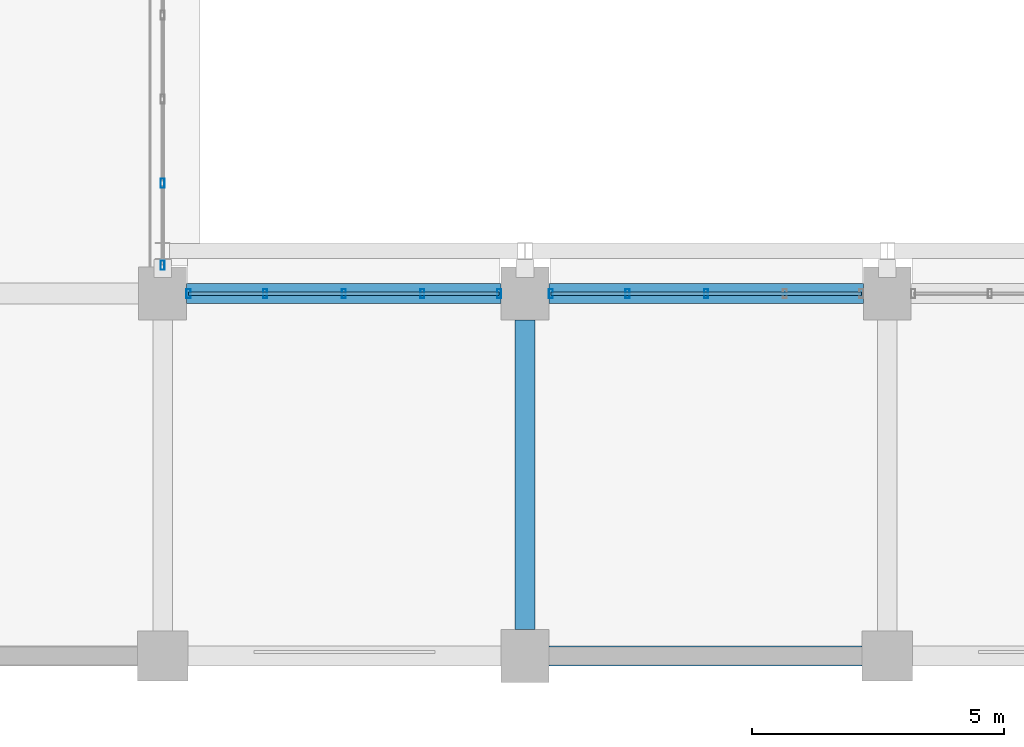
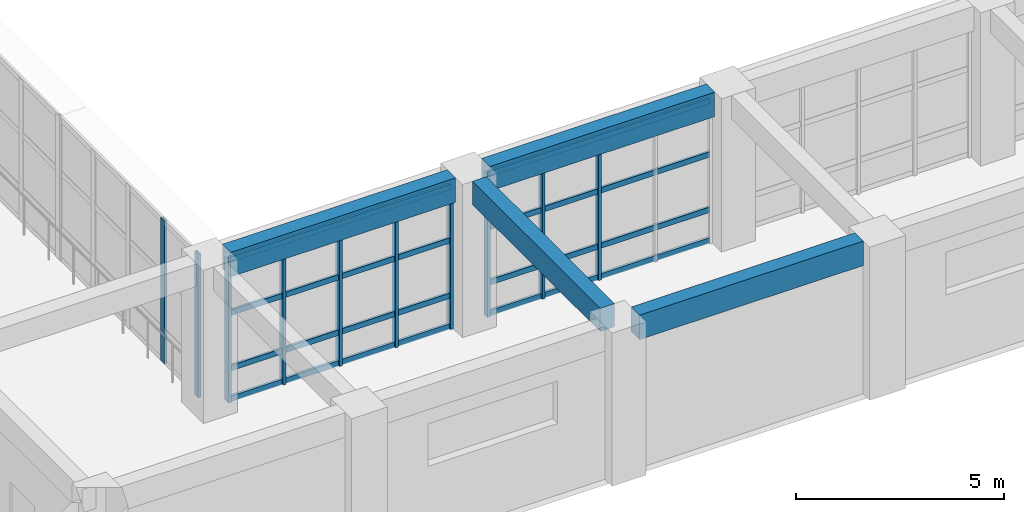
# One storey, part 31 of 171: 18 members, 4 beams, 3 elements without a shape of their own.
"""IFC4 building model written with IfcOpenShell, lengths in metres."""

from ifc_helpers import new_model, si_unit, direction, frame, origin, origin_2d, place, context, subcontext, project, spatial, rectangle, hollow_rectangle, extrude, material, material_profile, profile_set, type_object, element, aggregate, save


model = new_model("IFC4")

# Units and contexts
model_context = context("Model", 3, precision=1e-05, world=origin(), true_north=direction((0.0, 1.0)))
body_context = subcontext(model_context, "Body", "Model", "MODEL_VIEW")
ifc_project = project(units=[si_unit("LENGTHUNIT", "METRE"), si_unit("AREAUNIT", "SQUARE_METRE"), si_unit("VOLUMEUNIT", "CUBIC_METRE"), si_unit("PLANEANGLEUNIT", "RADIAN"), si_unit("MASSUNIT", "GRAM", prefix="KILO")], contexts=[model_context])

# Site, building, storey
site_placement = place(None, origin())
site = spatial("IfcSite", under=ifc_project, at=site_placement, CompositionType="ELEMENT")
building_placement = place(site_placement, origin())
building = spatial("IfcBuilding", under=site, at=building_placement, Name="Thalmaran Polytechnic", CompositionType="ELEMENT")
storey_placement = place(building_placement, frame((0.0, 0.0, 5.39990234375)))
storey = spatial("IfcBuildingStorey", under=building, at=storey_placement, Name="L01", CompositionType="ELEMENT", Elevation=5.39990234375)

# Beams
ifc_material_1 = material(Name="Concrete C40/50", Category="concrete")
ifc_material_profile_1 = material_profile(ifc_material_1, rectangle(XDim=0.389892578125, YDim=0.68505859375, at=origin_2d()), Name="RC 390x685")
ifc_profile_set_1 = profile_set([ifc_material_profile_1], Name="Concrete C40/50")
beam_type_1 = type_object("IfcBeamType", Name="BM-RC08", PredefinedType="BEAM", material=ifc_profile_set_1)
beam_1_placement = place(storey_placement, frame((122.39990234375, 0.52490234375, 4.15771484375), z_axis=(0.0, 1.0, 0.0), x_axis=(-1.0, 0.0, 0.0)))
element("IfcBeam", 1, at=beam_1_placement, inside=storey, type_object=beam_type_1, Name="Grid Beam B08 L01 Y(17,0)", PredefinedType="BEAM", context=body_context, shape_type="SweptSolid", body=[
    extrude(rectangle(XDim=0.389892578125, YDim=0.68505859375, at=origin_2d()), origin(), (0.0, 0.0, 1.0), 6.150146484375),
])
ifc_material_profile_2 = material_profile(ifc_material_1, rectangle(XDim=0.39990234375, YDim=0.719970703125, at=origin_2d()), Name="RC 400x720")
ifc_profile_set_2 = profile_set([ifc_material_profile_2], Name="Concrete C40/50")
beam_type_2 = type_object("IfcBeamType", Name="BM-SP01", PredefinedType="SPANDREL", material=ifc_profile_set_2)
beam_2_placement = place(storey_placement, frame((115.675048828125, 7.199951171875, 4.14013671875), z_axis=(1.0, 0.0, 0.0), x_axis=(0.0, 1.0, 0.0)))
element("IfcBeam", 2, at=beam_2_placement, inside=storey, type_object=beam_type_2, Name="Grid Beam SP01 L01 X(16,1)", PredefinedType="SPANDREL", context=body_context, shape_type="SweptSolid", body=[
    extrude(rectangle(XDim=0.39990234375, YDim=0.719970703125, at=origin_2d()), origin(), (0.0, 0.0, 1.0), 6.25),
])
beam_3_placement = place(storey_placement, frame((122.875, 0.0, 4.14013671875), z_axis=(1.0, 0.0, 0.0), x_axis=(0.0, 1.0, 0.0)))
element("IfcBeam", 3, at=beam_3_placement, inside=storey, type_object=beam_type_2, Name="Grid Beam SP01 L01 X(17,0)", PredefinedType="SPANDREL", context=body_context, shape_type="SweptSolid", body=[
    extrude(rectangle(XDim=0.39990234375, YDim=0.719970703125, at=origin_2d()), origin(), (0.0, 0.0, 1.0), 6.22509765625),
])
beam_4_placement = place(storey_placement, frame((122.875, 7.199951171875, 4.14013671875), z_axis=(1.0, 0.0, 0.0), x_axis=(0.0, 1.0, 0.0)))
element("IfcBeam", 4, at=beam_4_placement, inside=storey, type_object=beam_type_2, Name="Grid Beam SP01 L01 X(17,1)", PredefinedType="SPANDREL", context=body_context, shape_type="SweptSolid", body=[
    extrude(rectangle(XDim=0.39990234375, YDim=0.719970703125, at=origin_2d()), origin(), (0.0, 0.0, 1.0), 6.25),
])

# Curtain wall, members
ifc_material_2 = material(Name="Aluminium 6063-T6", Category="aluminium")
curtain_wall_type = type_object("IfcCurtainWallType", Name="CW-UC02", PredefinedType="USERDEFINED", material=ifc_material_2)
curtain_wall_1_placement = place(storey_placement, origin())
curtain_wall_1 = element("IfcCurtainWall", 5, at=curtain_wall_1_placement, inside=storey, type_object=curtain_wall_type, Name="Curtain Wall CW-L01-110", ObjectType="UNITISED CURTAIN WALL", PredefinedType="USERDEFINED")
ifc_material_profile_3 = material_profile(ifc_material_2, hollow_rectangle(XDim=0.080078125, YDim=0.179931640625, WallThickness=0.0048828125, at=origin_2d()), Name="RHS 180x80x5.0")
ifc_profile_set_3 = profile_set([ifc_material_profile_3], Name="Aluminium 6063-T6")
member_type_1 = type_object("IfcMemberType", Name="CW-MUL1", PredefinedType="MULLION", material=ifc_profile_set_3)
member_1_placement = place(storey_placement, frame((115.199951171875, 9.393798828125, 0.0), z_axis=(0.0, 0.0, 1.0), x_axis=(1.0, 0.0, 0.0)))
member_1 = element("IfcMember", 6, at=member_1_placement, type_object=member_type_1, Name="CW-L01-110 Mullion 4", PredefinedType="MULLION", context=body_context, shape_type="SweptSolid", body=[
    extrude(hollow_rectangle(XDim=0.080078125, YDim=0.179931640625, WallThickness=0.0048828125, at=origin_2d()), origin(), (0.0, 0.0, 1.0), 4.210205078125),
])
member_2_placement = place(storey_placement, frame((115.199951171875, 7.764892578125, 0.0), z_axis=(0.0, 0.0, 1.0), x_axis=(1.0, 0.0, 0.0)))
member_2 = element("IfcMember", 7, at=member_2_placement, type_object=member_type_1, Name="CW-L01-110 Mullion 5", PredefinedType="MULLION", context=body_context, shape_type="SweptSolid", body=[
    extrude(hollow_rectangle(XDim=0.080078125, YDim=0.179931640625, WallThickness=0.0048828125, at=origin_2d()), origin(), (0.0, 0.0, 1.0), 4.210205078125),
])
aggregate(curtain_wall_1, [member_1, member_2])

curtain_wall_2_placement = place(storey_placement, origin())
curtain_wall_2 = element("IfcCurtainWall", 8, at=curtain_wall_2_placement, inside=storey, type_object=curtain_wall_type, Name="Curtain Wall CW-L01-111", ObjectType="UNITISED CURTAIN WALL", PredefinedType="USERDEFINED")
member_3_placement = place(storey_placement, frame((115.715087890625, 7.199951171875, 0.0), z_axis=(0.0, 0.0, 1.0), x_axis=(1.0, 0.0, 0.0)))
member_3 = element("IfcMember", 9, at=member_3_placement, type_object=member_type_1, Name="CW-L01-111 Mullion 1", PredefinedType="MULLION", context=body_context, shape_type="SweptSolid", body=[
    extrude(hollow_rectangle(XDim=0.080078125, YDim=0.179931640625, WallThickness=0.0048828125, at=origin_2d()), origin(), (0.0, 0.0, 1.0), 4.210205078125),
])
member_4_placement = place(storey_placement, frame((117.237548828125, 7.199951171875, 0.0), z_axis=(0.0, 0.0, 1.0), x_axis=(1.0, 0.0, 0.0)))
member_4 = element("IfcMember", 10, at=member_4_placement, type_object=member_type_1, Name="CW-L01-111 Mullion 2", PredefinedType="MULLION", context=body_context, shape_type="SweptSolid", body=[
    extrude(hollow_rectangle(XDim=0.080078125, YDim=0.179931640625, WallThickness=0.0048828125, at=origin_2d()), origin(), (0.0, 0.0, 1.0), 4.210205078125),
])
member_5_placement = place(storey_placement, frame((118.800048828125, 7.199951171875, 0.0), z_axis=(0.0, 0.0, 1.0), x_axis=(1.0, 0.0, 0.0)))
member_5 = element("IfcMember", 11, at=member_5_placement, type_object=member_type_1, Name="CW-L01-111 Mullion 3", PredefinedType="MULLION", context=body_context, shape_type="SweptSolid", body=[
    extrude(hollow_rectangle(XDim=0.080078125, YDim=0.179931640625, WallThickness=0.0048828125, at=origin_2d()), origin(), (0.0, 0.0, 1.0), 4.210205078125),
])
member_6_placement = place(storey_placement, frame((120.362548828125, 7.199951171875, 0.0), z_axis=(0.0, 0.0, 1.0), x_axis=(1.0, 0.0, 0.0)))
member_6 = element("IfcMember", 12, at=member_6_placement, type_object=member_type_1, Name="CW-L01-111 Mullion 4", PredefinedType="MULLION", context=body_context, shape_type="SweptSolid", body=[
    extrude(hollow_rectangle(XDim=0.080078125, YDim=0.179931640625, WallThickness=0.0048828125, at=origin_2d()), origin(), (0.0, 0.0, 1.0), 4.210205078125),
])
member_7_placement = place(storey_placement, frame((121.885009765625, 7.199951171875, 0.0), z_axis=(0.0, 0.0, 1.0), x_axis=(1.0, 0.0, 0.0)))
member_7 = element("IfcMember", 13, at=member_7_placement, type_object=member_type_1, Name="CW-L01-111 Mullion 5", PredefinedType="MULLION", context=body_context, shape_type="SweptSolid", body=[
    extrude(hollow_rectangle(XDim=0.080078125, YDim=0.179931640625, WallThickness=0.0048828125, at=origin_2d()), origin(), (0.0, 0.0, 1.0), 4.210205078125),
])

curtain_wall_3_placement = place(storey_placement, origin())
curtain_wall_3 = element("IfcCurtainWall", 14, at=curtain_wall_3_placement, inside=storey, type_object=curtain_wall_type, Name="Curtain Wall CW-L01-112", ObjectType="UNITISED CURTAIN WALL", PredefinedType="USERDEFINED")
member_8_placement = place(storey_placement, frame((122.9150390625, 7.199951171875, 0.0), z_axis=(0.0, 0.0, 1.0), x_axis=(1.0, 0.0, 0.0)))
member_8 = element("IfcMember", 15, at=member_8_placement, type_object=member_type_1, Name="CW-L01-112 Mullion 1", PredefinedType="MULLION", context=body_context, shape_type="SweptSolid", body=[
    extrude(hollow_rectangle(XDim=0.080078125, YDim=0.179931640625, WallThickness=0.0048828125, at=origin_2d()), origin(), (0.0, 0.0, 1.0), 4.210205078125),
])
member_9_placement = place(storey_placement, frame((124.4375, 7.199951171875, 0.0), z_axis=(0.0, 0.0, 1.0), x_axis=(1.0, 0.0, 0.0)))
member_9 = element("IfcMember", 16, at=member_9_placement, type_object=member_type_1, Name="CW-L01-112 Mullion 2", PredefinedType="MULLION", context=body_context, shape_type="SweptSolid", body=[
    extrude(hollow_rectangle(XDim=0.080078125, YDim=0.179931640625, WallThickness=0.0048828125, at=origin_2d()), origin(), (0.0, 0.0, 1.0), 4.210205078125),
])
member_10_placement = place(storey_placement, frame((126.0, 7.199951171875, 0.0), z_axis=(0.0, 0.0, 1.0), x_axis=(1.0, 0.0, 0.0)))
member_10 = element("IfcMember", 17, at=member_10_placement, type_object=member_type_1, Name="CW-L01-112 Mullion 3", PredefinedType="MULLION", context=body_context, shape_type="SweptSolid", body=[
    extrude(hollow_rectangle(XDim=0.080078125, YDim=0.179931640625, WallThickness=0.0048828125, at=origin_2d()), origin(), (0.0, 0.0, 1.0), 4.210205078125),
])

# Member
ifc_material_profile_4 = material_profile(ifc_material_2, hollow_rectangle(XDim=0.070068359375, YDim=0.159912109375, WallThickness=0.00390625, at=origin_2d()), Name="AL 160x70x4.0")
ifc_profile_set_4 = profile_set([ifc_material_profile_4], Name="Aluminium 6063-T6")
member_type_2 = type_object("IfcMemberType", Name="CW-TRN1", PredefinedType="USERDEFINED", material=ifc_profile_set_4)
member_11_placement = place(storey_placement, frame((115.715087890625, 7.199951171875, 0.06005859375), z_axis=(1.0, 0.0, 0.0), x_axis=(0.0, 1.0, 0.0)))
member_11 = element("IfcMember", 18, at=member_11_placement, type_object=member_type_2, Name="CW-L01-111 Transom 1", ObjectType="TRANSOM", PredefinedType="USERDEFINED", context=body_context, shape_type="SweptSolid", body=[
    extrude(hollow_rectangle(XDim=0.070068359375, YDim=0.159912109375, WallThickness=0.00390625, at=origin_2d()), origin(), (0.0, 0.0, 1.0), 6.169921875),
])

member_12_placement = place(storey_placement, frame((115.715087890625, 7.199951171875, 0.960205078125), z_axis=(1.0, 0.0, 0.0), x_axis=(0.0, 1.0, 0.0)))
member_12 = element("IfcMember", 19, at=member_12_placement, type_object=member_type_2, Name="CW-L01-111 Transom 2", ObjectType="TRANSOM", PredefinedType="USERDEFINED", context=body_context, shape_type="SweptSolid", body=[
    extrude(hollow_rectangle(XDim=0.070068359375, YDim=0.159912109375, WallThickness=0.00390625, at=origin_2d()), origin(), (0.0, 0.0, 1.0), 6.169921875),
])

member_13_placement = place(storey_placement, frame((115.715087890625, 7.199951171875, 2.585205078125), z_axis=(1.0, 0.0, 0.0), x_axis=(0.0, 1.0, 0.0)))
member_13 = element("IfcMember", 20, at=member_13_placement, type_object=member_type_2, Name="CW-L01-111 Transom 3", ObjectType="TRANSOM", PredefinedType="USERDEFINED", context=body_context, shape_type="SweptSolid", body=[
    extrude(hollow_rectangle(XDim=0.070068359375, YDim=0.159912109375, WallThickness=0.00390625, at=origin_2d()), origin(), (0.0, 0.0, 1.0), 6.169921875),
])

member_14_placement = place(storey_placement, frame((115.715087890625, 7.199951171875, 4.150146484375), z_axis=(1.0, 0.0, 0.0), x_axis=(0.0, 1.0, 0.0)))
member_14 = element("IfcMember", 21, at=member_14_placement, type_object=member_type_2, Name="CW-L01-111 Transom 4", ObjectType="TRANSOM", PredefinedType="USERDEFINED", context=body_context, shape_type="SweptSolid", body=[
    extrude(hollow_rectangle(XDim=0.070068359375, YDim=0.159912109375, WallThickness=0.00390625, at=origin_2d()), origin(), (0.0, 0.0, 1.0), 6.169921875),
])

aggregate(curtain_wall_2, [member_3, member_4, member_5, member_6, member_7, member_11, member_12, member_13, member_14])

member_15_placement = place(storey_placement, frame((122.9150390625, 7.199951171875, 0.06005859375), z_axis=(1.0, 0.0, 0.0), x_axis=(0.0, 1.0, 0.0)))
member_15 = element("IfcMember", 22, at=member_15_placement, type_object=member_type_2, Name="CW-L01-112 Transom 1", ObjectType="TRANSOM", PredefinedType="USERDEFINED", context=body_context, shape_type="SweptSolid", body=[
    extrude(hollow_rectangle(XDim=0.070068359375, YDim=0.159912109375, WallThickness=0.00390625, at=origin_2d()), origin(), (0.0, 0.0, 1.0), 6.169921875),
])

member_16_placement = place(storey_placement, frame((122.9150390625, 7.199951171875, 0.960205078125), z_axis=(1.0, 0.0, 0.0), x_axis=(0.0, 1.0, 0.0)))
member_16 = element("IfcMember", 23, at=member_16_placement, type_object=member_type_2, Name="CW-L01-112 Transom 2", ObjectType="TRANSOM", PredefinedType="USERDEFINED", context=body_context, shape_type="SweptSolid", body=[
    extrude(hollow_rectangle(XDim=0.070068359375, YDim=0.159912109375, WallThickness=0.00390625, at=origin_2d()), origin(), (0.0, 0.0, 1.0), 6.169921875),
])

member_17_placement = place(storey_placement, frame((122.9150390625, 7.199951171875, 2.585205078125), z_axis=(1.0, 0.0, 0.0), x_axis=(0.0, 1.0, 0.0)))
member_17 = element("IfcMember", 24, at=member_17_placement, type_object=member_type_2, Name="CW-L01-112 Transom 3", ObjectType="TRANSOM", PredefinedType="USERDEFINED", context=body_context, shape_type="SweptSolid", body=[
    extrude(hollow_rectangle(XDim=0.070068359375, YDim=0.159912109375, WallThickness=0.00390625, at=origin_2d()), origin(), (0.0, 0.0, 1.0), 6.169921875),
])

member_18_placement = place(storey_placement, frame((122.9150390625, 7.199951171875, 4.150146484375), z_axis=(1.0, 0.0, 0.0), x_axis=(0.0, 1.0, 0.0)))
member_18 = element("IfcMember", 25, at=member_18_placement, type_object=member_type_2, Name="CW-L01-112 Transom 4", ObjectType="TRANSOM", PredefinedType="USERDEFINED", context=body_context, shape_type="SweptSolid", body=[
    extrude(hollow_rectangle(XDim=0.070068359375, YDim=0.159912109375, WallThickness=0.00390625, at=origin_2d()), origin(), (0.0, 0.0, 1.0), 6.169921875),
])

aggregate(curtain_wall_3, [member_8, member_9, member_10, member_15, member_16, member_17, member_18])

save(model, "model.ifc")
